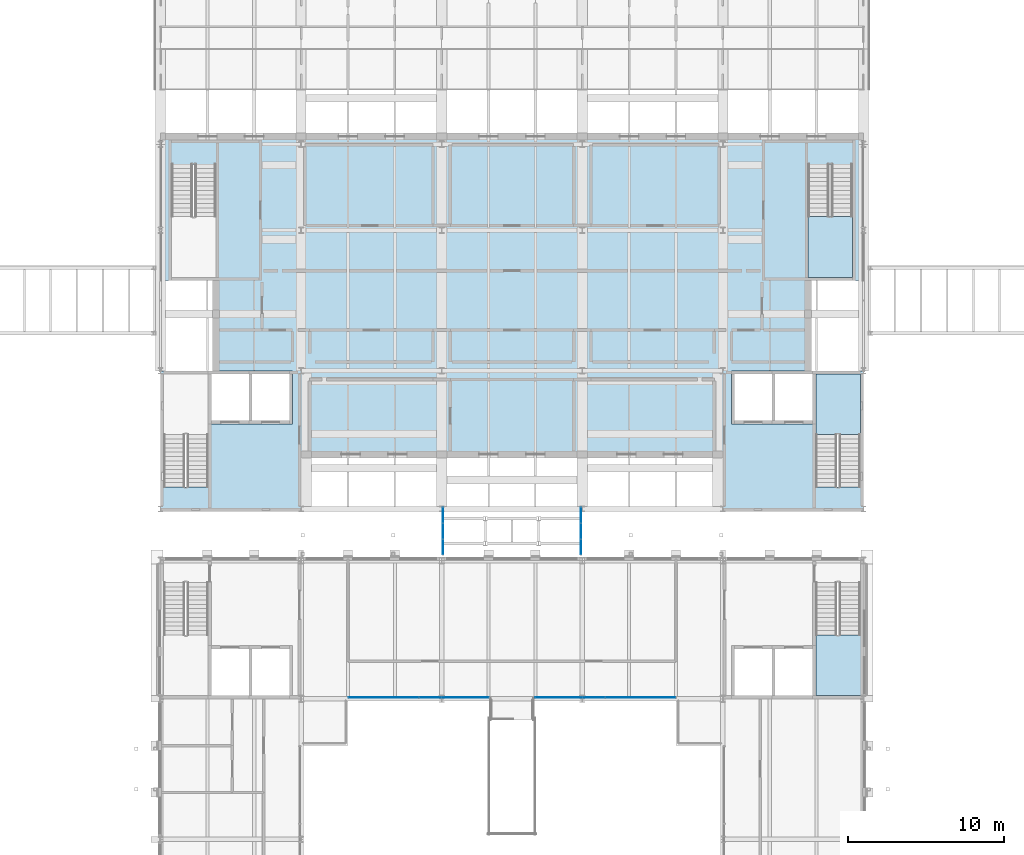
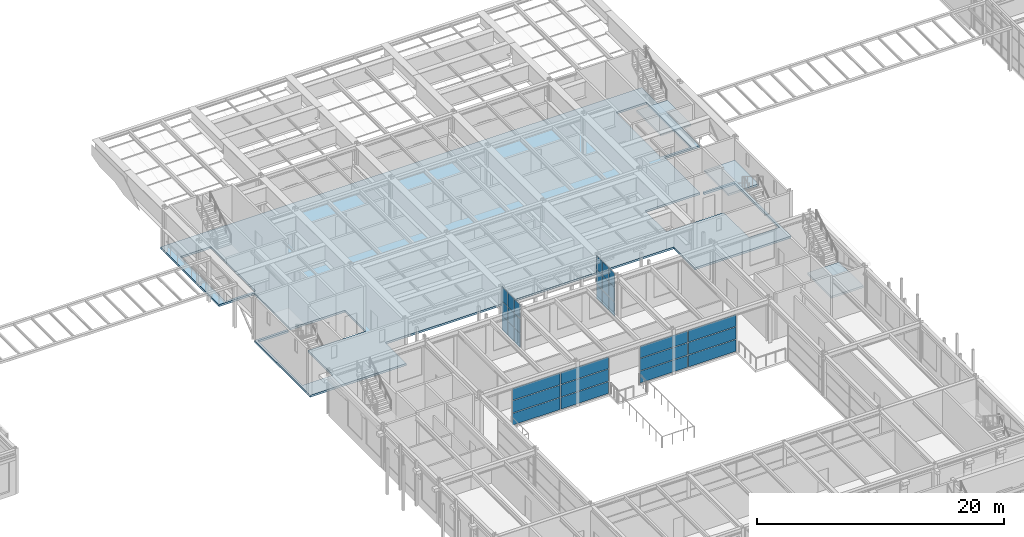
# One storey, part 88 of 153: 30 plates, 4 slabs, 7 elements without a shape of their own.
"""IFC4 building model written with IfcOpenShell, lengths in metres."""

from ifc_helpers import new_model, si_unit, direction, frame, origin, origin_2d, place, context, subcontext, project, spatial, polyline, rectangle, outline, extrude, material, layer, layer_set, type_object, element, aggregate, save


model = new_model("IFC4")

# Units and contexts
model_context = context("Model", 3, precision=1e-05, world=origin(), true_north=direction((0.0, 1.0)))
body_context = subcontext(model_context, "Body", "Model", "MODEL_VIEW")
ifc_project = project(units=[si_unit("LENGTHUNIT", "METRE"), si_unit("AREAUNIT", "SQUARE_METRE"), si_unit("VOLUMEUNIT", "CUBIC_METRE"), si_unit("PLANEANGLEUNIT", "RADIAN"), si_unit("MASSUNIT", "GRAM", prefix="KILO")], contexts=[model_context])

# Site, building, storey
site_placement = place(None, origin())
site = spatial("IfcSite", under=ifc_project, at=site_placement, CompositionType="ELEMENT")
building_placement = place(site_placement, origin())
building = spatial("IfcBuilding", under=site, at=building_placement, Name="Kallimachos Central Library", CompositionType="ELEMENT")
storey_placement = place(building_placement, frame((0.0, 0.0, 5.39990234375)))
storey = spatial("IfcBuildingStorey", under=building, at=storey_placement, Name="L01", CompositionType="ELEMENT", Elevation=5.39990234375)

# Curtain wall, plates
ifc_material_1 = material(Name="Aluminium and laminated glass", Category="aluminium")
curtain_wall_type_1 = type_object("IfcCurtainWallType", Name="Atrium glazed screen", PredefinedType="NOTDEFINED", material=ifc_material_1)
curtain_wall_1_placement = place(storey_placement, origin())
curtain_wall_1 = element("IfcCurtainWall", 1, at=curtain_wall_1_placement, inside=storey, type_object=curtain_wall_type_1, Name="L01 atrium screen N", PredefinedType="NOTDEFINED")
ifc_material_2 = material(Name="Laminated glass", Category="glass")
ifc_layer_1 = layer(ifc_material_2, 0.028076171875)
ifc_layer_set_1 = layer_set([ifc_layer_1], Name="Atrium screen glass panel")
plate_type_1 = type_object("IfcPlateType", Name="Atrium screen glass panel", PredefinedType="CURTAIN_PANEL", material=ifc_layer_set_1)
plate_1_placement = place(storey_placement, frame((79.78369140625, 75.080078125, 0.06005859375), z_axis=(0.0, 0.0, 1.0), x_axis=(1.0, 0.0, 0.0)))
plate_1 = element("IfcPlate", 2, at=plate_1_placement, type_object=plate_type_1, Name="CW panel 1.1", PredefinedType="CURTAIN_PANEL", context=body_context, shape_type="SweptSolid", body=[
    extrude(rectangle(XDim=4.447509765625, YDim=0.028076171875, at=origin_2d()), origin(), (0.0, 0.0, 1.0), 1.159912109375),
])
plate_2_placement = place(storey_placement, frame((79.78369140625, 75.080078125, 1.280029296875), z_axis=(0.0, 0.0, 1.0), x_axis=(1.0, 0.0, 0.0)))
plate_2 = element("IfcPlate", 3, at=plate_2_placement, type_object=plate_type_1, Name="CW panel 1.2", PredefinedType="CURTAIN_PANEL", context=body_context, shape_type="SweptSolid", body=[
    extrude(rectangle(XDim=4.447509765625, YDim=0.028076171875, at=origin_2d()), origin(), (0.0, 0.0, 1.0), 1.18994140625),
])
plate_3_placement = place(storey_placement, frame((79.78369140625, 75.080078125, 2.5302734375), z_axis=(0.0, 0.0, 1.0), x_axis=(1.0, 0.0, 0.0)))
plate_3 = element("IfcPlate", 4, at=plate_3_placement, type_object=plate_type_1, Name="CW panel 1.3", PredefinedType="CURTAIN_PANEL", context=body_context, shape_type="SweptSolid", body=[
    extrude(rectangle(XDim=4.447509765625, YDim=0.028076171875, at=origin_2d()), origin(), (0.0, 0.0, 1.0), 1.159912109375),
])
plate_4_placement = place(storey_placement, frame((84.291259765625, 75.080078125, 0.06005859375), z_axis=(0.0, 0.0, 1.0), x_axis=(1.0, 0.0, 0.0)))
plate_4 = element("IfcPlate", 5, at=plate_4_placement, type_object=plate_type_1, Name="CW panel 2.1", PredefinedType="CURTAIN_PANEL", context=body_context, shape_type="SweptSolid", body=[
    extrude(rectangle(XDim=4.447509765625, YDim=0.028076171875, at=origin_2d()), origin(), (0.0, 0.0, 1.0), 1.159912109375),
])
plate_5_placement = place(storey_placement, frame((84.291259765625, 75.080078125, 1.280029296875), z_axis=(0.0, 0.0, 1.0), x_axis=(1.0, 0.0, 0.0)))
plate_5 = element("IfcPlate", 6, at=plate_5_placement, type_object=plate_type_1, Name="CW panel 2.2", PredefinedType="CURTAIN_PANEL", context=body_context, shape_type="SweptSolid", body=[
    extrude(rectangle(XDim=4.447509765625, YDim=0.028076171875, at=origin_2d()), origin(), (0.0, 0.0, 1.0), 1.18994140625),
])
plate_6_placement = place(storey_placement, frame((84.291259765625, 75.080078125, 2.5302734375), z_axis=(0.0, 0.0, 1.0), x_axis=(1.0, 0.0, 0.0)))
plate_6 = element("IfcPlate", 7, at=plate_6_placement, type_object=plate_type_1, Name="CW panel 2.3", PredefinedType="CURTAIN_PANEL", context=body_context, shape_type="SweptSolid", body=[
    extrude(rectangle(XDim=4.447509765625, YDim=0.028076171875, at=origin_2d()), origin(), (0.0, 0.0, 1.0), 1.159912109375),
])
aggregate(curtain_wall_1, [plate_1, plate_2, plate_3, plate_4, plate_5, plate_6])

curtain_wall_2_placement = place(storey_placement, origin())
curtain_wall_2 = element("IfcCurtainWall", 8, at=curtain_wall_2_placement, inside=storey, type_object=curtain_wall_type_1, Name="L01 atrium screen N", PredefinedType="NOTDEFINED")
plate_7_placement = place(storey_placement, frame((91.708740234375, 75.080078125, 0.06005859375), z_axis=(0.0, 0.0, 1.0), x_axis=(1.0, 0.0, 0.0)))
plate_7 = element("IfcPlate", 9, at=plate_7_placement, type_object=plate_type_1, Name="CW panel 1.1", PredefinedType="CURTAIN_PANEL", context=body_context, shape_type="SweptSolid", body=[
    extrude(rectangle(XDim=4.447509765625, YDim=0.028076171875, at=origin_2d()), origin(), (0.0, 0.0, 1.0), 1.159912109375),
])
plate_8_placement = place(storey_placement, frame((91.708740234375, 75.080078125, 1.280029296875), z_axis=(0.0, 0.0, 1.0), x_axis=(1.0, 0.0, 0.0)))
plate_8 = element("IfcPlate", 10, at=plate_8_placement, type_object=plate_type_1, Name="CW panel 1.2", PredefinedType="CURTAIN_PANEL", context=body_context, shape_type="SweptSolid", body=[
    extrude(rectangle(XDim=4.447509765625, YDim=0.028076171875, at=origin_2d()), origin(), (0.0, 0.0, 1.0), 1.18994140625),
])
plate_9_placement = place(storey_placement, frame((91.708740234375, 75.080078125, 2.5302734375), z_axis=(0.0, 0.0, 1.0), x_axis=(1.0, 0.0, 0.0)))
plate_9 = element("IfcPlate", 11, at=plate_9_placement, type_object=plate_type_1, Name="CW panel 1.3", PredefinedType="CURTAIN_PANEL", context=body_context, shape_type="SweptSolid", body=[
    extrude(rectangle(XDim=4.447509765625, YDim=0.028076171875, at=origin_2d()), origin(), (0.0, 0.0, 1.0), 1.159912109375),
])
plate_10_placement = place(storey_placement, frame((96.21630859375, 75.080078125, 0.06005859375), z_axis=(0.0, 0.0, 1.0), x_axis=(1.0, 0.0, 0.0)))
plate_10 = element("IfcPlate", 12, at=plate_10_placement, type_object=plate_type_1, Name="CW panel 2.1", PredefinedType="CURTAIN_PANEL", context=body_context, shape_type="SweptSolid", body=[
    extrude(rectangle(XDim=4.447509765625, YDim=0.028076171875, at=origin_2d()), origin(), (0.0, 0.0, 1.0), 1.159912109375),
])
plate_11_placement = place(storey_placement, frame((96.21630859375, 75.080078125, 1.280029296875), z_axis=(0.0, 0.0, 1.0), x_axis=(1.0, 0.0, 0.0)))
plate_11 = element("IfcPlate", 13, at=plate_11_placement, type_object=plate_type_1, Name="CW panel 2.2", PredefinedType="CURTAIN_PANEL", context=body_context, shape_type="SweptSolid", body=[
    extrude(rectangle(XDim=4.447509765625, YDim=0.028076171875, at=origin_2d()), origin(), (0.0, 0.0, 1.0), 1.18994140625),
])
plate_12_placement = place(storey_placement, frame((96.21630859375, 75.080078125, 2.5302734375), z_axis=(0.0, 0.0, 1.0), x_axis=(1.0, 0.0, 0.0)))
plate_12 = element("IfcPlate", 14, at=plate_12_placement, type_object=plate_type_1, Name="CW panel 2.3", PredefinedType="CURTAIN_PANEL", context=body_context, shape_type="SweptSolid", body=[
    extrude(rectangle(XDim=4.447509765625, YDim=0.028076171875, at=origin_2d()), origin(), (0.0, 0.0, 1.0), 1.159912109375),
])
aggregate(curtain_wall_2, [plate_7, plate_8, plate_9, plate_10, plate_11, plate_12])

# Slab
ifc_material_3 = material(Name="Composite slab C30/37 on steel deck", Category="concrete")
ifc_layer_2 = layer(ifc_material_3, 0.199951171875)
ifc_layer_set_2 = layer_set([ifc_layer_2], Name="Composite floor slab 200")
slab_type_1 = type_object("IfcSlabType", Name="Composite floor slab 200", PredefinedType="FLOOR", material=ifc_layer_set_2)
slab_1_placement = place(storey_placement, frame((0.0, 0.0, -0.199951171875)))
element("IfcSlab", 15, at=slab_1_placement, inside=storey, type_object=slab_type_1, Name="V1-SLB-L01-001", PredefinedType="FLOOR", context=body_context, shape_type="SweptSolid", body=[
    extrude(outline(polyline([(110.5, 96.0), (110.5, 87.0), (101.5, 87.0), (101.5, 90.425048828125), (74.5, 90.425048828125), (74.5, 87.0), (65.5, 87.0), (65.5, 96.0), (68.550048828125, 96.0), (68.550048828125, 95.800048828125), (65.699951171875, 95.800048828125), (65.699951171875, 88.553955078125), (68.550048828125, 88.553955078125), (68.550048828125, 92.60009765625), (73.949951171875, 92.60009765625), (73.949951171875, 96.0), (68.824951171875, 96.0), (68.824951171875, 101.77490234375), (65.5, 101.77490234375), (65.5, 111.22509765625), (110.5, 111.22509765625), (110.5, 101.77490234375), (107.175048828125, 101.77490234375), (107.175048828125, 96.0), (102.050048828125, 96.0), (102.050048828125, 92.60009765625), (107.449951171875, 92.60009765625), (107.449951171875, 88.553955078125), (110.300048828125, 88.553955078125), (110.300048828125, 95.800048828125), (107.449951171875, 95.800048828125), (107.449951171875, 96.0), (110.5, 96.0)]), holes=[polyline([(69.050048828125, 101.97509765625), (69.050048828125, 109.220947265625), (66.199951171875, 109.220947265625), (66.199951171875, 101.97509765625), (69.050048828125, 101.97509765625)]), polyline([(109.800048828125, 101.97509765625), (109.800048828125, 109.220947265625), (106.949951171875, 109.220947265625), (106.949951171875, 101.97509765625), (109.800048828125, 101.97509765625)])]), origin(), (0.0, 0.0, 1.0), 0.199951171875),
])

# Curtain wall, plates
ifc_material_4 = material(Name="Aluminium and laminated glass", Category="aluminium")
curtain_wall_type_2 = type_object("IfcCurtainWallType", Name="Link glazed wall", PredefinedType="NOTDEFINED", material=ifc_material_4)
curtain_wall_3_placement = place(storey_placement, origin())
curtain_wall_3 = element("IfcCurtainWall", 16, at=curtain_wall_3_placement, inside=storey, type_object=curtain_wall_type_2, Name="Reading Link glazed wall L01", PredefinedType="NOTDEFINED")
ifc_material_5 = material(Name="Laminated glass", Category="glass")
ifc_layer_3 = layer(ifc_material_5, 0.028076171875)
ifc_layer_set_3 = layer_set([ifc_layer_3], Name="Laminated glass panel 28")
plate_type_2 = type_object("IfcPlateType", Name="Laminated glass panel 28", PredefinedType="CURTAIN_PANEL", material=ifc_layer_set_3)
plate_13_placement = place(storey_placement, frame((83.580078125, 84.7275390625, 0.06005859375), z_axis=(0.0, 0.0, 1.0), x_axis=(0.0, 1.0, 0.0)))
plate_13 = element("IfcPlate", 17, at=plate_13_placement, type_object=plate_type_2, Name="CW64 panel 1.1", PredefinedType="CURTAIN_PANEL", context=body_context, shape_type="SweptSolid", body=[
    extrude(rectangle(XDim=0.93505859375, YDim=0.028076171875, at=origin_2d()), origin(), (0.0, 0.0, 1.0), 1.360107421875),
])
plate_14_placement = place(storey_placement, frame((83.580078125, 84.7275390625, 1.47998046875), z_axis=(0.0, 0.0, 1.0), x_axis=(0.0, 1.0, 0.0)))
plate_14 = element("IfcPlate", 18, at=plate_14_placement, type_object=plate_type_2, Name="CW64 panel 1.2", PredefinedType="CURTAIN_PANEL", context=body_context, shape_type="SweptSolid", body=[
    extrude(rectangle(XDim=0.93505859375, YDim=0.028076171875, at=origin_2d()), origin(), (0.0, 0.0, 1.0), 1.389892578125),
])
plate_15_placement = place(storey_placement, frame((83.580078125, 84.7275390625, 2.93017578125), z_axis=(0.0, 0.0, 1.0), x_axis=(0.0, 1.0, 0.0)))
plate_15 = element("IfcPlate", 19, at=plate_15_placement, type_object=plate_type_2, Name="CW64 panel 1.3", PredefinedType="CURTAIN_PANEL", context=body_context, shape_type="SweptSolid", body=[
    extrude(rectangle(XDim=0.93505859375, YDim=0.028076171875, at=origin_2d()), origin(), (0.0, 0.0, 1.0), 1.360107421875),
])
plate_16_placement = place(storey_placement, frame((83.580078125, 85.737548828125, 0.06005859375), z_axis=(0.0, 0.0, 1.0), x_axis=(0.0, 1.0, 0.0)))
plate_16 = element("IfcPlate", 20, at=plate_16_placement, type_object=plate_type_2, Name="CW64 panel 2.1", PredefinedType="CURTAIN_PANEL", context=body_context, shape_type="SweptSolid", body=[
    extrude(rectangle(XDim=0.965087890625, YDim=0.028076171875, at=origin_2d()), origin(), (0.0, 0.0, 1.0), 1.360107421875),
])
plate_17_placement = place(storey_placement, frame((83.580078125, 85.737548828125, 1.47998046875), z_axis=(0.0, 0.0, 1.0), x_axis=(0.0, 1.0, 0.0)))
plate_17 = element("IfcPlate", 21, at=plate_17_placement, type_object=plate_type_2, Name="CW64 panel 2.2", PredefinedType="CURTAIN_PANEL", context=body_context, shape_type="SweptSolid", body=[
    extrude(rectangle(XDim=0.965087890625, YDim=0.028076171875, at=origin_2d()), origin(), (0.0, 0.0, 1.0), 1.389892578125),
])
plate_18_placement = place(storey_placement, frame((83.580078125, 85.737548828125, 2.93017578125), z_axis=(0.0, 0.0, 1.0), x_axis=(0.0, 1.0, 0.0)))
plate_18 = element("IfcPlate", 22, at=plate_18_placement, type_object=plate_type_2, Name="CW64 panel 2.3", PredefinedType="CURTAIN_PANEL", context=body_context, shape_type="SweptSolid", body=[
    extrude(rectangle(XDim=0.965087890625, YDim=0.028076171875, at=origin_2d()), origin(), (0.0, 0.0, 1.0), 1.360107421875),
])
plate_19_placement = place(storey_placement, frame((83.580078125, 86.74755859375, 0.06005859375), z_axis=(0.0, 0.0, 1.0), x_axis=(0.0, 1.0, 0.0)))
plate_19 = element("IfcPlate", 23, at=plate_19_placement, type_object=plate_type_2, Name="CW64 panel 3.1", PredefinedType="CURTAIN_PANEL", context=body_context, shape_type="SweptSolid", body=[
    extrude(rectangle(XDim=0.93505859375, YDim=0.028076171875, at=origin_2d()), origin(), (0.0, 0.0, 1.0), 1.360107421875),
])
plate_20_placement = place(storey_placement, frame((83.580078125, 86.74755859375, 1.47998046875), z_axis=(0.0, 0.0, 1.0), x_axis=(0.0, 1.0, 0.0)))
plate_20 = element("IfcPlate", 24, at=plate_20_placement, type_object=plate_type_2, Name="CW64 panel 3.2", PredefinedType="CURTAIN_PANEL", context=body_context, shape_type="SweptSolid", body=[
    extrude(rectangle(XDim=0.93505859375, YDim=0.028076171875, at=origin_2d()), origin(), (0.0, 0.0, 1.0), 1.389892578125),
])
plate_21_placement = place(storey_placement, frame((83.580078125, 86.74755859375, 2.93017578125), z_axis=(0.0, 0.0, 1.0), x_axis=(0.0, 1.0, 0.0)))
plate_21 = element("IfcPlate", 25, at=plate_21_placement, type_object=plate_type_2, Name="CW64 panel 3.3", PredefinedType="CURTAIN_PANEL", context=body_context, shape_type="SweptSolid", body=[
    extrude(rectangle(XDim=0.93505859375, YDim=0.028076171875, at=origin_2d()), origin(), (0.0, 0.0, 1.0), 1.360107421875),
])
aggregate(curtain_wall_3, [plate_13, plate_14, plate_15, plate_16, plate_17, plate_18, plate_19, plate_20, plate_21])

curtain_wall_4_placement = place(storey_placement, origin())
curtain_wall_4 = element("IfcCurtainWall", 26, at=curtain_wall_4_placement, inside=storey, type_object=curtain_wall_type_2, Name="Reading Link glazed wall L01", PredefinedType="NOTDEFINED")
plate_22_placement = place(storey_placement, frame((92.419921875, 84.7275390625, 0.06005859375), z_axis=(0.0, 0.0, 1.0), x_axis=(0.0, 1.0, 0.0)))
plate_22 = element("IfcPlate", 27, at=plate_22_placement, type_object=plate_type_2, Name="CW65 panel 1.1", PredefinedType="CURTAIN_PANEL", context=body_context, shape_type="SweptSolid", body=[
    extrude(rectangle(XDim=0.93505859375, YDim=0.028076171875, at=origin_2d()), origin(), (0.0, 0.0, 1.0), 1.360107421875),
])
plate_23_placement = place(storey_placement, frame((92.419921875, 84.7275390625, 1.47998046875), z_axis=(0.0, 0.0, 1.0), x_axis=(0.0, 1.0, 0.0)))
plate_23 = element("IfcPlate", 28, at=plate_23_placement, type_object=plate_type_2, Name="CW65 panel 1.2", PredefinedType="CURTAIN_PANEL", context=body_context, shape_type="SweptSolid", body=[
    extrude(rectangle(XDim=0.93505859375, YDim=0.028076171875, at=origin_2d()), origin(), (0.0, 0.0, 1.0), 1.389892578125),
])
plate_24_placement = place(storey_placement, frame((92.419921875, 84.7275390625, 2.93017578125), z_axis=(0.0, 0.0, 1.0), x_axis=(0.0, 1.0, 0.0)))
plate_24 = element("IfcPlate", 29, at=plate_24_placement, type_object=plate_type_2, Name="CW65 panel 1.3", PredefinedType="CURTAIN_PANEL", context=body_context, shape_type="SweptSolid", body=[
    extrude(rectangle(XDim=0.93505859375, YDim=0.028076171875, at=origin_2d()), origin(), (0.0, 0.0, 1.0), 1.360107421875),
])
plate_25_placement = place(storey_placement, frame((92.419921875, 85.737548828125, 0.06005859375), z_axis=(0.0, 0.0, 1.0), x_axis=(0.0, 1.0, 0.0)))
plate_25 = element("IfcPlate", 30, at=plate_25_placement, type_object=plate_type_2, Name="CW65 panel 2.1", PredefinedType="CURTAIN_PANEL", context=body_context, shape_type="SweptSolid", body=[
    extrude(rectangle(XDim=0.965087890625, YDim=0.028076171875, at=origin_2d()), origin(), (0.0, 0.0, 1.0), 1.360107421875),
])
plate_26_placement = place(storey_placement, frame((92.419921875, 85.737548828125, 1.47998046875), z_axis=(0.0, 0.0, 1.0), x_axis=(0.0, 1.0, 0.0)))
plate_26 = element("IfcPlate", 31, at=plate_26_placement, type_object=plate_type_2, Name="CW65 panel 2.2", PredefinedType="CURTAIN_PANEL", context=body_context, shape_type="SweptSolid", body=[
    extrude(rectangle(XDim=0.965087890625, YDim=0.028076171875, at=origin_2d()), origin(), (0.0, 0.0, 1.0), 1.389892578125),
])
plate_27_placement = place(storey_placement, frame((92.419921875, 85.737548828125, 2.93017578125), z_axis=(0.0, 0.0, 1.0), x_axis=(0.0, 1.0, 0.0)))
plate_27 = element("IfcPlate", 32, at=plate_27_placement, type_object=plate_type_2, Name="CW65 panel 2.3", PredefinedType="CURTAIN_PANEL", context=body_context, shape_type="SweptSolid", body=[
    extrude(rectangle(XDim=0.965087890625, YDim=0.028076171875, at=origin_2d()), origin(), (0.0, 0.0, 1.0), 1.360107421875),
])
plate_28_placement = place(storey_placement, frame((92.419921875, 86.74755859375, 0.06005859375), z_axis=(0.0, 0.0, 1.0), x_axis=(0.0, 1.0, 0.0)))
plate_28 = element("IfcPlate", 33, at=plate_28_placement, type_object=plate_type_2, Name="CW65 panel 3.1", PredefinedType="CURTAIN_PANEL", context=body_context, shape_type="SweptSolid", body=[
    extrude(rectangle(XDim=0.93505859375, YDim=0.028076171875, at=origin_2d()), origin(), (0.0, 0.0, 1.0), 1.360107421875),
])
plate_29_placement = place(storey_placement, frame((92.419921875, 86.74755859375, 1.47998046875), z_axis=(0.0, 0.0, 1.0), x_axis=(0.0, 1.0, 0.0)))
plate_29 = element("IfcPlate", 34, at=plate_29_placement, type_object=plate_type_2, Name="CW65 panel 3.2", PredefinedType="CURTAIN_PANEL", context=body_context, shape_type="SweptSolid", body=[
    extrude(rectangle(XDim=0.93505859375, YDim=0.028076171875, at=origin_2d()), origin(), (0.0, 0.0, 1.0), 1.389892578125),
])
plate_30_placement = place(storey_placement, frame((92.419921875, 86.74755859375, 2.93017578125), z_axis=(0.0, 0.0, 1.0), x_axis=(0.0, 1.0, 0.0)))
plate_30 = element("IfcPlate", 35, at=plate_30_placement, type_object=plate_type_2, Name="CW65 panel 3.3", PredefinedType="CURTAIN_PANEL", context=body_context, shape_type="SweptSolid", body=[
    extrude(rectangle(XDim=0.93505859375, YDim=0.028076171875, at=origin_2d()), origin(), (0.0, 0.0, 1.0), 1.360107421875),
])
aggregate(curtain_wall_4, [plate_22, plate_23, plate_24, plate_25, plate_26, plate_27, plate_28, plate_29, plate_30])

# Stair, slab
ifc_material_6 = material(Name="Concrete C30/37", Category="concrete")
stair_type_1 = type_object("IfcStairType", Name="Escape stair", PredefinedType="HALF_TURN_STAIR", material=ifc_material_6)
stair_1_placement = place(storey_placement, origin())
stair_1 = element("IfcStair", 36, at=stair_1_placement, inside=storey, type_object=stair_type_1, Name="L01 stair ST10", PredefinedType="HALF_TURN_STAIR")
ifc_material_7 = material(Name="Concrete C30/37", Category="concrete")
ifc_layer_4 = layer(ifc_material_7, 0.199951171875)
ifc_layer_set_4 = layer_set([ifc_layer_4], Name="Stair landing")
slab_type_2 = type_object("IfcSlabType", Name="Stair landing", PredefinedType="LANDING", material=ifc_layer_set_4)
slab_2_placement = place(storey_placement, frame((0.0, 0.0, 2.050048828125)))
slab_2 = element("IfcSlab", 37, at=slab_2_placement, type_object=slab_type_2, Name="ST10 landing 1", PredefinedType="LANDING", context=body_context, shape_type="SweptSolid", body=[
    extrude(outline(polyline([(107.449951171875, 75.199951171875), (110.45361328125, 75.199951171875), (110.45361328125, 79.090087890625), (107.449951171875, 79.090087890625), (107.449951171875, 75.199951171875)])), origin(), (0.0, 0.0, 1.0), 0.199951171875),
])
aggregate(stair_1, [slab_2])

ifc_material_8 = material(Name="Steel S355J2", Category="steel")
stair_type_2 = type_object("IfcStairType", Name="Steel half-turn stair 1350", PredefinedType="HALF_TURN_STAIR", material=ifc_material_8)
stair_2_placement = place(storey_placement, origin())
stair_2 = element("IfcStair", 38, at=stair_2_placement, inside=storey, type_object=stair_type_2, Name="L01 stair ST2", PredefinedType="HALF_TURN_STAIR")
ifc_material_9 = material(Name="Concrete C30/37", Category="concrete")
ifc_layer_5 = layer(ifc_material_9, 0.199951171875)
ifc_layer_set_5 = layer_set([ifc_layer_5], Name="Stair landing slab 200")
slab_type_3 = type_object("IfcSlabType", Name="Stair landing slab 200", PredefinedType="LANDING", material=ifc_layer_set_5)
slab_3_placement = place(storey_placement, frame((0.0, 0.0, 2.050048828125)))
slab_3 = element("IfcSlab", 39, at=slab_3_placement, type_object=slab_type_3, Name="ST2 landing 1", PredefinedType="LANDING", context=body_context, shape_type="SweptSolid", body=[
    extrude(outline(polyline([(110.300048828125, 91.909912109375), (110.300048828125, 95.800048828125), (107.449951171875, 95.800048828125), (107.449951171875, 91.909912109375), (110.300048828125, 91.909912109375)])), origin(), (0.0, 0.0, 1.0), 0.199951171875),
])
aggregate(stair_2, [slab_3])

stair_3_placement = place(storey_placement, origin())
stair_3 = element("IfcStair", 40, at=stair_3_placement, inside=storey, type_object=stair_type_2, Name="L01 stair ST4", PredefinedType="HALF_TURN_STAIR")
slab_4_placement = place(storey_placement, frame((0.0, 0.0, 2.050048828125)))
slab_4 = element("IfcSlab", 41, at=slab_4_placement, type_object=slab_type_3, Name="ST4 landing 1", PredefinedType="LANDING", context=body_context, shape_type="SweptSolid", body=[
    extrude(outline(polyline([(106.949951171875, 105.864990234375), (106.949951171875, 101.97509765625), (109.800048828125, 101.97509765625), (109.800048828125, 105.864990234375), (106.949951171875, 105.864990234375)])), origin(), (0.0, 0.0, 1.0), 0.199951171875),
])
aggregate(stair_3, [slab_4])

save(model, "model.ifc")
